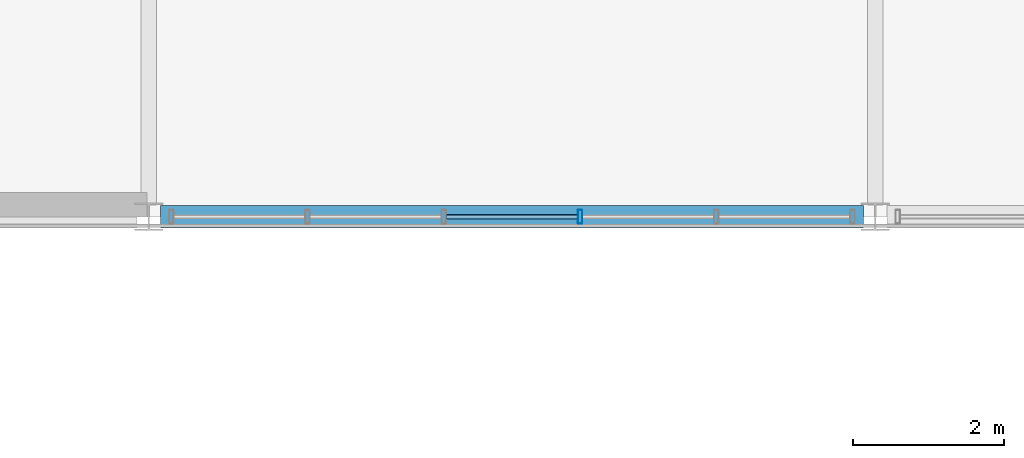
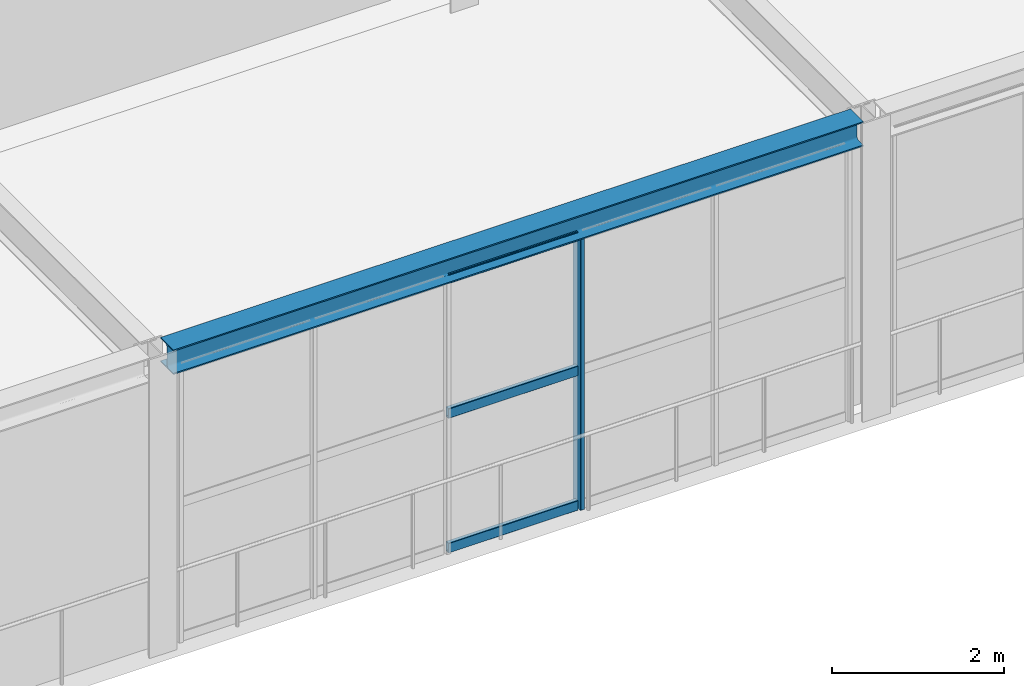
# One storey, part 84 of 170: 4 members, 1 beam, 1 element without a shape of its own.
"""IFC4 building model written with IfcOpenShell, lengths in metres."""

from ifc_helpers import new_model, si_unit, direction, frame, origin, origin_2d, place, context, subcontext, project, spatial, hollow_rectangle, i_section, extrude, material, material_profile, profile_set, type_object, element, aggregate, save


model = new_model("IFC4")

# Units and contexts
model_context = context("Model", 3, precision=1e-05, world=origin(), true_north=direction((0.0, 1.0)))
body_context = subcontext(model_context, "Body", "Model", "MODEL_VIEW")
ifc_project = project(units=[si_unit("LENGTHUNIT", "METRE"), si_unit("AREAUNIT", "SQUARE_METRE"), si_unit("VOLUMEUNIT", "CUBIC_METRE"), si_unit("PLANEANGLEUNIT", "RADIAN"), si_unit("MASSUNIT", "GRAM", prefix="KILO")], contexts=[model_context])

# Site, building, storey
site_placement = place(None, origin())
site = spatial("IfcSite", under=ifc_project, at=site_placement, CompositionType="ELEMENT")
building_placement = place(site_placement, origin())
building = spatial("IfcBuilding", under=site, at=building_placement, Name="Coralgate Yard Interchange", CompositionType="ELEMENT")
storey_placement = place(building_placement, frame((0.0, 0.0, 6.0)))
storey = spatial("IfcBuildingStorey", under=building, at=storey_placement, Name="L01", CompositionType="ELEMENT", Elevation=6.0)

# Beam
ifc_material_1 = material(Name="Structural steel S355J2", Category="steel")
ifc_material_profile_1 = material_profile(ifc_material_1, i_section(OverallWidth=0.300048828125, OverallDepth=0.35009765625, WebThickness=0.010009765625, FlangeThickness=0.017578125, FilletRadius=0.027099609375, at=origin_2d()), Name="HEA 360")
ifc_profile_set_1 = profile_set([ifc_material_profile_1], Name="Structural steel S355J2")
beam_type = type_object("IfcBeamType", Name="BM-SP-1", PredefinedType="SPANDREL", material=ifc_profile_set_1)
beam_placement = place(storey_placement, frame((57.75634765625, 67.199951171875, 4.074951171875), z_axis=(1.0, 0.0, 0.0), x_axis=(0.0, 1.0, 0.0)))
element("IfcBeam", 1, at=beam_placement, inside=storey, type_object=beam_type, Name="L01 primary grid beam Y7 X6-7", PredefinedType="SPANDREL", context=body_context, shape_type="SweptSolid", body=[
    extrude(i_section(OverallWidth=0.300048828125, OverallDepth=0.35009765625, WebThickness=0.010009765625, FlangeThickness=0.017578125, FilletRadius=0.027099609375, at=origin_2d()), origin(), (0.0, 0.0, 1.0), 9.287353515625),
])

# Curtain wall, members
ifc_material_2 = material(Name="Anodised coastal aluminium and solar-control low-E glass", Category="aluminium")
curtain_wall_type = type_object("IfcCurtainWallType", Name="CW-CW-L01-A", PredefinedType="NOTDEFINED", material=ifc_material_2)
curtain_wall_placement = place(storey_placement, origin())
curtain_wall = element("IfcCurtainWall", 2, at=curtain_wall_placement, inside=storey, type_object=curtain_wall_type, Name="L01 unitised curtain wall CW-L01-S-06-07", PredefinedType="NOTDEFINED")
ifc_material_3 = material(Name="Anodised coastal aluminium 6063-T6", Category="aluminium")
ifc_material_profile_2 = material_profile(ifc_material_3, hollow_rectangle(XDim=0.06005859375, YDim=0.179931640625, WallThickness=0.00390625, InnerFilletRadius=0.00390625, OuterFilletRadius=0.008056640625, at=origin_2d()), Name="ALU 60x180x4")
ifc_profile_set_2 = profile_set([ifc_material_profile_2], Name="Anodised coastal aluminium 6063-T6")
member_type_1 = type_object("IfcMemberType", Name="MB-MUL-180", PredefinedType="MULLION", material=ifc_profile_set_2)
member_1_placement = place(storey_placement, frame((63.300048828125, 67.199951171875, 0.0), z_axis=(0.0, 0.0, 1.0), x_axis=(1.0, 0.0, 0.0)))
member_1 = element("IfcMember", 3, at=member_1_placement, type_object=member_type_1, Name="CW-L01-S-06-07 vertical mullion 3", PredefinedType="MULLION", context=body_context, shape_type="SweptSolid", body=[
    extrude(hollow_rectangle(XDim=0.06005859375, YDim=0.179931640625, WallThickness=0.00390625, InnerFilletRadius=0.00390625, OuterFilletRadius=0.008056640625, at=origin_2d()), origin(), (0.0, 0.0, 1.0), 3.89990234375),
])
ifc_material_profile_3 = material_profile(ifc_material_3, hollow_rectangle(XDim=0.06005859375, YDim=0.139892578125, WallThickness=0.00341796875, InnerFilletRadius=0.00341796875, OuterFilletRadius=0.007080078125, at=origin_2d()), Name="ALU 60x140x3.5")
ifc_profile_set_3 = profile_set([ifc_material_profile_3], Name="Anodised coastal aluminium 6063-T6")
member_type_2 = type_object("IfcMemberType", Name="MB-TRN-140", PredefinedType="USERDEFINED", material=ifc_profile_set_3)
member_2_placement = place(storey_placement, frame((63.27001953125, 67.199951171875, 0.034912109375), z_axis=(-1.0, 0.0, 0.0), x_axis=(0.0, -1.0, 0.0)))
member_2 = element("IfcMember", 4, at=member_2_placement, type_object=member_type_2, Name="CW-L01-S-06-07 horizontal transom 3-1", ObjectType="TRANSOM", PredefinedType="USERDEFINED", context=body_context, shape_type="SweptSolid", body=[
    extrude(hollow_rectangle(XDim=0.06005859375, YDim=0.139892578125, WallThickness=0.00341796875, InnerFilletRadius=0.00341796875, OuterFilletRadius=0.007080078125, at=origin_2d()), origin(), (0.0, 0.0, 1.0), 1.739990234375),
])
member_3_placement = place(storey_placement, frame((63.27001953125, 67.199951171875, 1.949951171875), z_axis=(-1.0, 0.0, 0.0), x_axis=(0.0, -1.0, 0.0)))
member_3 = element("IfcMember", 5, at=member_3_placement, type_object=member_type_2, Name="CW-L01-S-06-07 horizontal transom 3-2", ObjectType="TRANSOM", PredefinedType="USERDEFINED", context=body_context, shape_type="SweptSolid", body=[
    extrude(hollow_rectangle(XDim=0.06005859375, YDim=0.139892578125, WallThickness=0.00341796875, InnerFilletRadius=0.00341796875, OuterFilletRadius=0.007080078125, at=origin_2d()), origin(), (0.0, 0.0, 1.0), 1.739990234375),
])
member_4_placement = place(storey_placement, frame((63.27001953125, 67.199951171875, 3.864990234375), z_axis=(-1.0, 0.0, 0.0), x_axis=(0.0, -1.0, 0.0)))
member_4 = element("IfcMember", 6, at=member_4_placement, type_object=member_type_2, Name="CW-L01-S-06-07 horizontal transom 3-3", ObjectType="TRANSOM", PredefinedType="USERDEFINED", context=body_context, shape_type="SweptSolid", body=[
    extrude(hollow_rectangle(XDim=0.06005859375, YDim=0.139892578125, WallThickness=0.00341796875, InnerFilletRadius=0.00341796875, OuterFilletRadius=0.007080078125, at=origin_2d()), origin(), (0.0, 0.0, 1.0), 1.739990234375),
])
aggregate(curtain_wall, [member_1, member_2, member_3, member_4])

save(model, "model.ifc")
